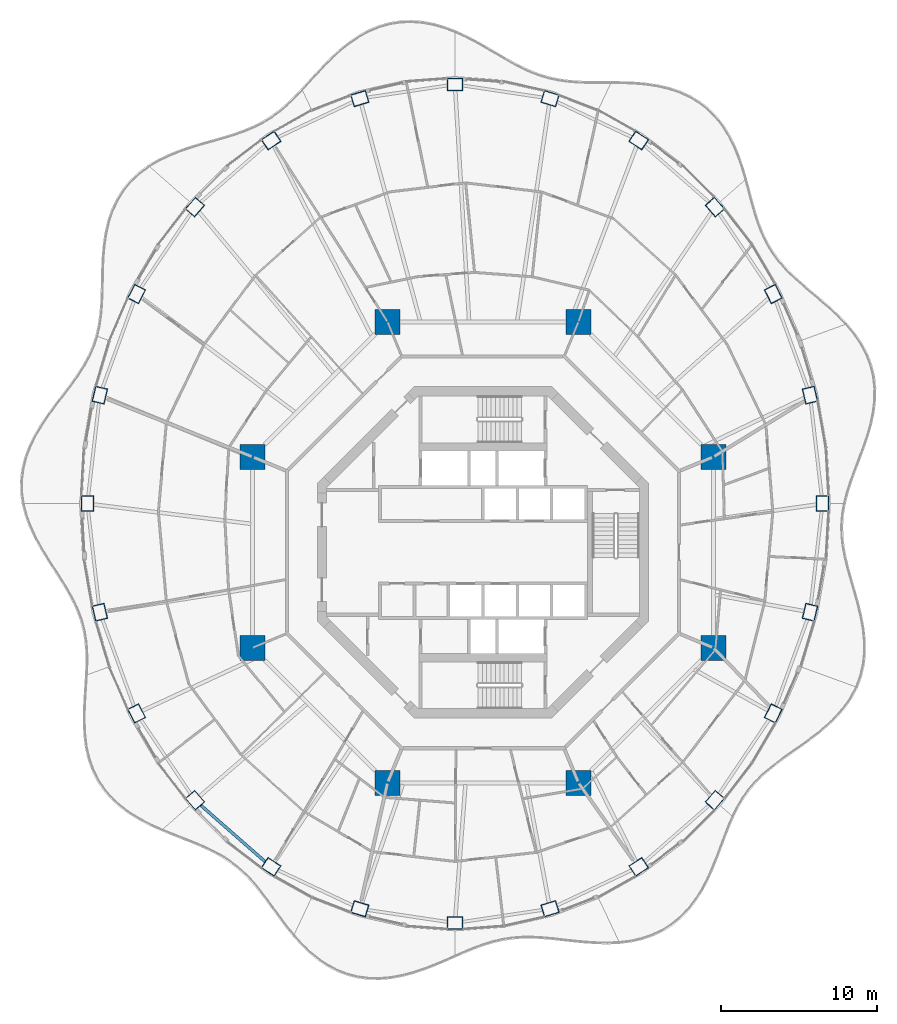
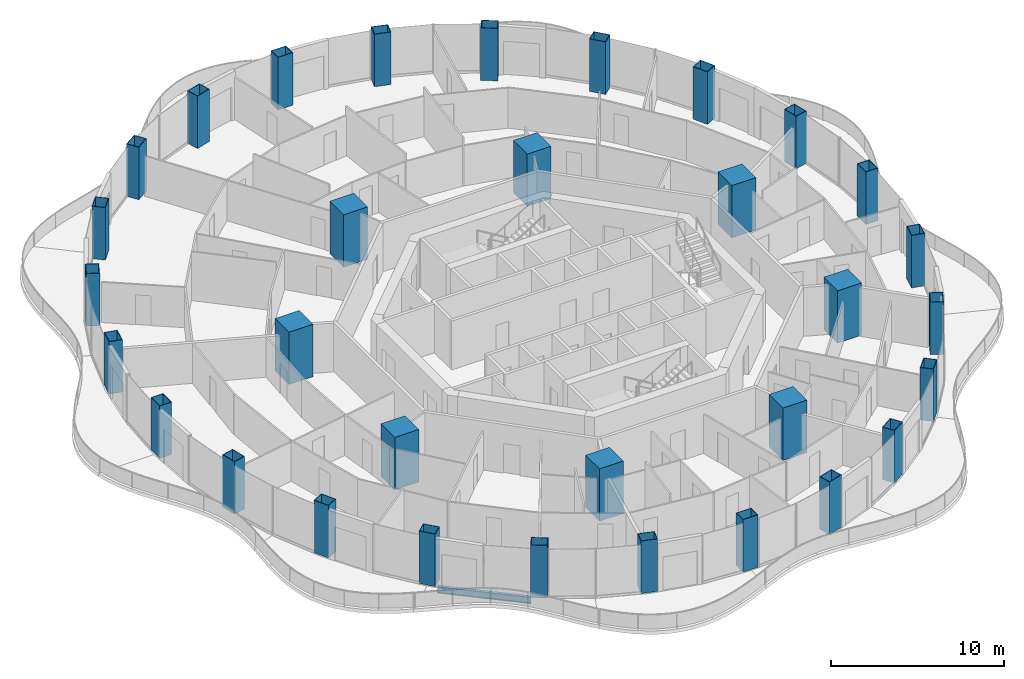
# One storey, part 1 of 18: 32 columns, 1 beam.
"""IFC4 building model written with IfcOpenShell, lengths in metres."""

import ifcopenshell
import ifcopenshell.guid

model = None  # the IFC model being written
_history = None  # IfcOwnerHistory: only IFC2X3 demands one
_inside = {}  # id of a spatial element -> (the spatial element, [elements in it])
_under = {}  # id of a project, library or spatial element -> (it, [spatial elements below it])
_declared = {}  # id of a project -> (the project, [libraries it declares])
_typed = {}  # id of a type object -> (the type object, [elements of that type])
_made_of = {}  # id of a material, layer set ... -> (it, [elements and type objects made of it])


def new_model(schema):
    """Start an empty IFC model of exactly this schema.

    Asked for "IFC4X3", IfcOpenShell would pick the latest addendum, in which some entities
    have other attributes; the version numbers below select the first issue.
    IFC2X3 requires an IfcOwnerHistory on every rooted entity: one is made here for all.
    """
    global model, _history
    if schema == "IFC4X3":
        model = ifcopenshell.file(schema_version=(4, 3, 0, 0))
    else:
        model = ifcopenshell.file(schema=schema)
    _inside.clear()
    _under.clear()
    _declared.clear()
    _typed.clear()
    _made_of.clear()
    _history = None
    if model.schema == "IFC2X3":
        org = make("IfcOrganization", Name="unknown")
        user = make(
            "IfcPersonAndOrganization",
            ThePerson=make("IfcPerson", FamilyName="unknown"),
            TheOrganization=org,
        )
        app = make(
            "IfcApplication",
            ApplicationDeveloper=org,
            Version="unknown",
            ApplicationFullName="unknown",
            ApplicationIdentifier="unknown",
        )
        _history = make(
            "IfcOwnerHistory",
            OwningUser=user,
            OwningApplication=app,
            ChangeAction="ADDED",
            CreationDate=0,
        )
    return model


def make(cls, **values):
    """One entity of the class cls with the attributes given. An attribute that is None is left unset."""
    return model.create_entity(
        cls, **{name: value for name, value in values.items() if value is not None}
    )


def rooted(cls, **values):
    """An entity with a GlobalId (a new one), such as an element, a storey or a relation."""
    return make(cls, GlobalId=ifcopenshell.guid.new(), OwnerHistory=_history, **values)


def si_unit(unit_type, name, prefix=None):
    """IfcSIUnit, for example si_unit("LENGTHUNIT", "METRE", prefix="MILLI")."""
    return make("IfcSIUnit", UnitType=unit_type, Prefix=prefix, Name=name)


def assignment(units):
    """IfcUnitAssignment: the units of a project."""
    return None if units is None else make("IfcUnitAssignment", Units=units)


def point(xyz):
    """IfcCartesianPoint."""
    return None if xyz is None else make("IfcCartesianPoint", Coordinates=xyz)


def direction(xyz):
    """IfcDirection."""
    return None if xyz is None else make("IfcDirection", DirectionRatios=xyz)


def frame(location, z_axis=None, x_axis=None):
    """IfcAxis2Placement3D, a coordinate frame: its origin and axes. An axis left out is left unset."""
    return make(
        "IfcAxis2Placement3D",
        Location=point(location),
        Axis=direction(z_axis),
        RefDirection=direction(x_axis),
    )


def frame_2d(location, x_axis=None):
    """IfcAxis2Placement2D, a coordinate frame in the plane: its origin and x axis."""
    return make(
        "IfcAxis2Placement2D", Location=point(location), RefDirection=direction(x_axis)
    )


def origin():
    """The frame at (0, 0, 0) with its axes left unset."""
    return frame((0.0, 0.0, 0.0))


def origin_2d():
    """The frame at (0, 0) in the plane with its x axis left unset."""
    return frame_2d((0.0, 0.0))


def place(relative_to, where):
    """IfcLocalPlacement: puts the frame where relative to a parent placement (None: the world)."""
    return make(
        "IfcLocalPlacement", PlacementRelTo=relative_to, RelativePlacement=where
    )


def context(
    kind, dimensions, precision=None, world=None, true_north=None, identifier=None
):
    """IfcGeometricRepresentationContext, for example the 3D "Model" context."""
    return make(
        "IfcGeometricRepresentationContext",
        ContextIdentifier=identifier,
        ContextType=kind,
        CoordinateSpaceDimension=dimensions,
        Precision=precision,
        WorldCoordinateSystem=world,
        TrueNorth=true_north,
    )


def subcontext(parent, identifier, kind, view, scale=None):
    """IfcGeometricRepresentationSubContext, for example "Body" below "Model"."""
    return make(
        "IfcGeometricRepresentationSubContext",
        ContextIdentifier=identifier,
        ContextType=kind,
        ParentContext=parent,
        TargetScale=scale,
        TargetView=view,
    )


def project(units=None, contexts=None):
    """IfcProject with its units and contexts."""
    return rooted(
        "IfcProject",
        Name="project",
        RepresentationContexts=contexts,
        UnitsInContext=assignment(units),
    )


def spatial(cls, under=None, at=None, **own):
    """A site, building, storey or space (cls), placed at a placement, below another one or the project."""
    s = rooted(cls, ObjectPlacement=at, **own)
    if under is not None:
        _under.setdefault(under.id(), (under, []))[1].append(s)
    return s


def profile(cls, at=None, kind="AREA", **sizes):
    """A parametric profile (cls). Its sizes go by their IFC names, for example OverallWidth=200.0."""
    return make(cls, ProfileType=kind, Position=at, **sizes)


def rectangle(**sizes):
    """IfcRectangleProfileDef."""
    return profile("IfcRectangleProfileDef", **sizes)


def hollow_rectangle(**sizes):
    """IfcRectangleHollowProfileDef."""
    return profile("IfcRectangleHollowProfileDef", **sizes)


def i_section(**sizes):
    """IfcIShapeProfileDef."""
    return profile("IfcIShapeProfileDef", **sizes)


def extrude(swept, where, along, depth):
    """IfcExtrudedAreaSolid: the profile swept, set in the frame where, extruded along a direction by depth."""
    return make(
        "IfcExtrudedAreaSolid",
        SweptArea=swept,
        Position=where,
        ExtrudedDirection=direction(along),
        Depth=depth,
    )


def shape(context_of_items, identifier, shape_type, items):
    """IfcShapeRepresentation: the items that make up one representation, for example the "Body"."""
    return make(
        "IfcShapeRepresentation",
        ContextOfItems=context_of_items,
        RepresentationIdentifier=identifier,
        RepresentationType=shape_type,
        Items=items,
    )


def material(Name=None, Category=None):
    """IfcMaterial."""
    return make("IfcMaterial", Name=Name, Category=Category)


def material_profile(
    of_material, cross_section, Name=None, Category=None, Priority=None
):
    """IfcMaterialProfile: a cross section and its material."""
    return make(
        "IfcMaterialProfile",
        Name=Name,
        Material=of_material,
        Profile=cross_section,
        Priority=Priority,
        Category=Category,
    )


def profile_set(profiles, Name=None, composite=None):
    """IfcMaterialProfileSet."""
    return make(
        "IfcMaterialProfileSet",
        Name=Name,
        MaterialProfiles=profiles,
        CompositeProfile=composite,
    )


def made_of(thing, what):
    """Note that an element or type object is made of a material, layer set ...; save() writes the relation."""
    if what is not None:
        _made_of.setdefault(what.id(), (what, []))[1].append(thing)
    return thing


def type_object(cls, material=None, **own):
    """A type object (cls), such as IfcWallType, which elements share."""
    return made_of(rooted(cls, **own), material)


def element(
    cls,
    number,
    at=None,
    inside=None,
    cuts=None,
    type_object=None,
    material=None,
    context=None,
    identifier="Body",
    shape_type=None,
    held_by="IfcProductDefinitionShape",
    body=None,
    shapes=None,
    **own,
):
    """One element of the class cls, such as IfcWall. Its Tag is "e" and its number.

    at: its placement. inside: the storey or other place that contains it. cuts: it is an
    opening in that element (IfcRelVoidsElement). A single representation is given by context,
    identifier, shape_type and body (its items); several are given by shapes. held_by: the class
    of the entity that holds the representations. save() writes the other relations.
    """
    e = rooted(cls, Tag="e%d" % number, ObjectPlacement=at, **own)
    if body is not None:
        shapes = [shape(context, identifier, shape_type, body)]
    if shapes is not None:
        e.Representation = make(held_by, Representations=shapes)
    if inside is not None:
        _inside.setdefault(inside.id(), (inside, []))[1].append(e)
    if cuts is not None:
        rooted(
            "IfcRelVoidsElement", RelatingBuildingElement=cuts, RelatedOpeningElement=e
        )
    if type_object is not None:
        _typed.setdefault(type_object.id(), (type_object, []))[1].append(e)
    return made_of(e, material)


def aggregate(whole, parts):
    """IfcRelAggregates: a whole, such as a stair, and the parts it consists of."""
    return rooted("IfcRelAggregates", RelatingObject=whole, RelatedObjects=parts)


def save(model, path):
    """Write the relations noted so far, then the file.

    IfcRelAggregates (storeys below a building ...), IfcRelContainedInSpatialStructure (elements
    in a storey), IfcRelDefinesByType, IfcRelAssociatesMaterial and IfcRelDeclares: one each for
    every whole, place, type object, material and project.
    """
    for whole, parts in _under.values():
        aggregate(whole, parts)
    for where, things in _inside.values():
        rooted(
            "IfcRelContainedInSpatialStructure",
            RelatedElements=things,
            RelatingStructure=where,
        )
    for kind, things in _typed.values():
        rooted("IfcRelDefinesByType", RelatedObjects=things, RelatingType=kind)
    for what, things in _made_of.values():
        rooted("IfcRelAssociatesMaterial", RelatedObjects=things, RelatingMaterial=what)
    for by, libraries in _declared.values():
        rooted("IfcRelDeclares", RelatingContext=by, RelatedDefinitions=libraries)
    model.write(path)


model = new_model("IFC4")

# Units and contexts
model_context = context("Model", 3, precision=1e-05, world=origin(), true_north=direction((0.0, 1.0)))
body_context = subcontext(model_context, "Body", "Model", "MODEL_VIEW")
ifc_project = project(units=[si_unit("LENGTHUNIT", "METRE"), si_unit("AREAUNIT", "SQUARE_METRE"), si_unit("VOLUMEUNIT", "CUBIC_METRE"), si_unit("PLANEANGLEUNIT", "RADIAN"), si_unit("MASSUNIT", "GRAM", prefix="KILO")], contexts=[model_context])

# Site, building, storey
site_placement = place(None, origin())
site = spatial("IfcSite", under=ifc_project, at=site_placement, CompositionType="ELEMENT")
building_placement = place(site_placement, origin())
building = spatial("IfcBuilding", under=site, at=building_placement, Name="Nagisa Residences", CompositionType="ELEMENT")
storey_placement = place(building_placement, frame((0.0, 0.0, 230.699951171875)))
storey = spatial("IfcBuildingStorey", under=building, at=storey_placement, Name="L58", CompositionType="ELEMENT", Elevation=230.699951171875)

# Columns
ifc_material_1 = material(Name="Concrete C80", Category="concrete")
ifc_material_profile_1 = material_profile(ifc_material_1, rectangle(XDim=1.60009765625, YDim=1.60009765625, at=origin_2d()), Name="C80 1600x1600")
ifc_profile_set_1 = profile_set([ifc_material_profile_1], Name="Concrete C80")
column_type_1 = type_object("IfcColumnType", Name="Inner megacolumn C80 1600x1600", PredefinedType="COLUMN", material=ifc_profile_set_1)
for number, where, z_axis, x_axis, name in (
    (1, (14.781982421875, 6.123046875, 0.0), (0.0, 0.0, 1.0), (1.0, 0.0, 0.0), "col:L58:i1"),
    (2, (6.123046875, 14.781982421875, 0.0), (0.0, 0.0, 1.0), (1.0, 0.0, 0.0), "col:L58:i2"),
    (3, (-6.123046875, 14.781982421875, 0.0), (0.0, 0.0, 1.0), (1.0, 0.0, 0.0), "col:L58:i3"),
    (4, (-14.781982421875, 6.123046875, 0.0), (0.0, 0.0, 1.0), (1.0, 0.0, 0.0), "col:L58:i4"),
    (5, (-14.781982421875, -6.123046875, 0.0), (0.0, 0.0, 1.0), (1.0, 0.0, 0.0), "col:L58:i5"),
    (6, (-6.123046875, -14.781982421875, 0.0), (0.0, 0.0, 1.0), (1.0, 0.0, 0.0), "col:L58:i6"),
    (7, (6.123046875, -14.781982421875, 0.0), (0.0, 0.0, 1.0), (1.0, 0.0, 0.0), "col:L58:i7"),
    (8, (14.781982421875, -6.123046875, 0.0), (0.0, 0.0, 1.0), (1.0, 0.0, 0.0), "col:L58:i8"),
):
    element("IfcColumn", number, at=place(storey_placement, frame(where, z_axis=z_axis, x_axis=x_axis)), inside=storey, type_object=column_type_1, Name=name, PredefinedType="COLUMN", context=body_context, shape_type="SweptSolid", body=[
        extrude(rectangle(XDim=1.60009765625, YDim=1.60009765625, at=origin_2d()), origin(), (0.0, 0.0, 1.0), 3.699951171875),
    ])
ifc_material_2 = material(Name="Steel ASTM A572 Gr 50", Category="steel")
ifc_material_profile_2 = material_profile(ifc_material_2, hollow_rectangle(XDim=1.0, YDim=0.800048828125, WallThickness=0.031982421875, at=origin_2d()), Name="BX 1000x800x32")
ifc_profile_set_2 = profile_set([ifc_material_profile_2], Name="Steel ASTM A572 Gr 50")
column_type_2 = type_object("IfcColumnType", Name="Perimeter column BX 1000x800x32", PredefinedType="COLUMN", material=ifc_profile_set_2)
for number, where, z_axis, x_axis, name in (
    (9, (21.77001953125, 3.11767578125, 0.0), (0.0, 0.0, 1.0), (0.0, 1.0, 0.0), "col:L58:p00"),
    (10, (20.966796875, 10.077392578125, 0.0), (0.0, 0.0, 1.0), (-0.229202013103, 0.973378876486, 0.0), "col:L58:p01"),
    (11, (18.6123046875, 16.562744140625, 0.0), (0.0, 0.0, 1.0), (-0.452462697578, 0.891783329795, 0.0), "col:L58:p02"),
    (12, (14.866455078125, 22.1318359375, 0.0), (0.0, 0.0, 1.0), (-0.660114607735, 0.751164898445, 0.0), "col:L58:p03"),
    (13, (9.985107421875, 26.405029296875, 0.0), (0.0, 0.0, 1.0), (-0.835766105673, 0.54908561865, 0.0), "col:L58:p04"),
    (14, (4.30029296875, 29.091552734375, 0.0), (0.0, 0.0, 1.0), (-0.956524583408, 0.291651712384, 0.0), "col:L58:p05"),
    (15, (-1.800048828125, 30.0078125, 0.0), (0.0, 0.0, 1.0), (-1.0, 0.0, 0.0), "col:L58:p06"),
    (16, (-7.900390625, 29.091552734375, 0.0), (0.0, 0.0, 1.0), (-0.956524583408, -0.291651712384, 0.0), "col:L58:p07"),
    (17, (-13.5849609375, 26.405029296875, 0.0), (0.0, 0.0, 1.0), (-0.835766105673, -0.54908561865, 0.0), "col:L58:p08"),
    (18, (-18.466552734375, 22.1318359375, 0.0), (0.0, 0.0, 1.0), (-0.660114607735, -0.751164898445, 0.0), "col:L58:p09"),
    (19, (-22.212158203125, 16.562744140625, 0.0), (0.0, 0.0, 1.0), (-0.452462697578, -0.891783329795, 0.0), "col:L58:p10"),
    (20, (-24.56689453125, 10.077392578125, 0.0), (0.0, 0.0, 1.0), (-0.229202013103, -0.973378876486, 0.0), "col:L58:p11"),
    (21, (-25.3701171875, 3.11767578125, 0.0), (0.0, 0.0, 1.0), (0.0, -1.0, 0.0), "col:L58:p12"),
    (22, (-24.56689453125, -3.842041015625, 0.0), (0.0, 0.0, 1.0), (0.229202013103, -0.973378876486, 0.0), "col:L58:p13"),
    (23, (-22.212158203125, -10.327392578125, 0.0), (0.0, 0.0, 1.0), (0.452462697578, -0.891783329795, 0.0), "col:L58:p14"),
    (24, (-18.466552734375, -15.896484375, 0.0), (0.0, 0.0, 1.0), (0.660114607735, -0.751164898445, 0.0), "col:L58:p15"),
    (25, (-13.5849609375, -20.169677734375, 0.0), (0.0, 0.0, 1.0), (0.835766105673, -0.54908561865, 0.0), "col:L58:p16"),
    (26, (-7.900390625, -22.85595703125, 0.0), (0.0, 0.0, 1.0), (0.956524583408, -0.291651712384, 0.0), "col:L58:p17"),
    (27, (-1.800048828125, -23.772216796875, 0.0), (0.0, 0.0, 1.0), (1.0, 0.0, 0.0), "col:L58:p18"),
    (28, (4.30029296875, -22.85595703125, 0.0), (0.0, 0.0, 1.0), (0.956524583408, 0.291651712384, 0.0), "col:L58:p19"),
    (29, (9.985107421875, -20.169677734375, 0.0), (0.0, 0.0, 1.0), (0.835766105673, 0.54908561865, 0.0), "col:L58:p20"),
    (30, (14.866455078125, -15.896484375, 0.0), (0.0, 0.0, 1.0), (0.660114607735, 0.751164898445, 0.0), "col:L58:p21"),
    (31, (18.6123046875, -10.327392578125, 0.0), (0.0, 0.0, 1.0), (0.452462697578, 0.891783329795, 0.0), "col:L58:p22"),
    (32, (20.966796875, -3.842041015625, 0.0), (0.0, 0.0, 1.0), (0.229202013103, 0.973378876486, 0.0), "col:L58:p23"),
):
    element("IfcColumn", number, at=place(storey_placement, frame(where, z_axis=z_axis, x_axis=x_axis)), inside=storey, type_object=column_type_2, Name=name, PredefinedType="COLUMN", context=body_context, shape_type="SweptSolid", body=[
        extrude(hollow_rectangle(XDim=1.0, YDim=0.800048828125, WallThickness=0.031982421875, at=origin_2d()), origin(), (0.0, 0.0, 1.0), 3.699951171875),
    ])

# Beam
ifc_material_3 = material(Name="Steel ASTM A572 Gr 50", Category="steel")
ifc_material_profile_3 = material_profile(ifc_material_3, i_section(OverallWidth=0.18994140625, OverallDepth=0.45703125, WebThickness=0.009033203125, FlangeThickness=0.014404296875, at=origin_2d()), Name="W460x74")
ifc_profile_set_3 = profile_set([ifc_material_profile_3], Name="Steel ASTM A572 Gr 50")
beam_type = type_object("IfcBeamType", Name="Perimeter ring beam W460x74", PredefinedType="BEAM", material=ifc_profile_set_3)
beam_placement = place(storey_placement, frame((-18.10205078125, -16.21533203125, -0.488525390625), z_axis=(0.75242320672, -0.65867998147, 0.0), x_axis=(0.65867998147, 0.75242320672, 0.0)))
element("IfcBeam", 33, at=beam_placement, inside=storey, type_object=beam_type, Name="beam:L58:pb16", PredefinedType="BEAM", context=body_context, shape_type="SweptSolid", body=[
    extrude(i_section(OverallWidth=0.18994140625, OverallDepth=0.45703125, WebThickness=0.009033203125, FlangeThickness=0.014404296875, at=origin_2d()), origin(), (0.0, 0.0, 1.0), 5.5185546875),
])

save(model, "model.ifc")
